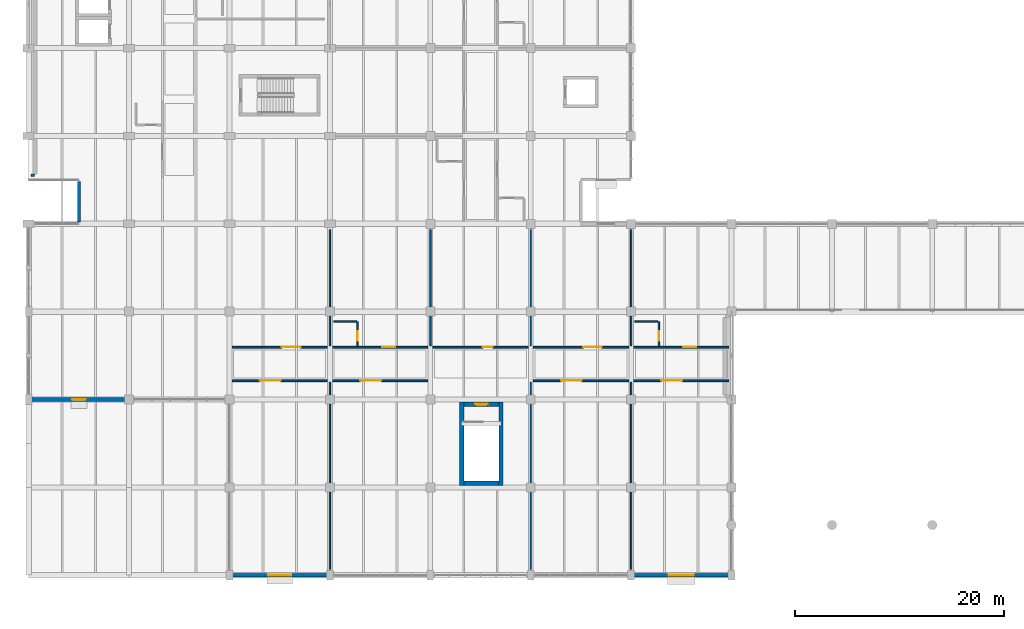
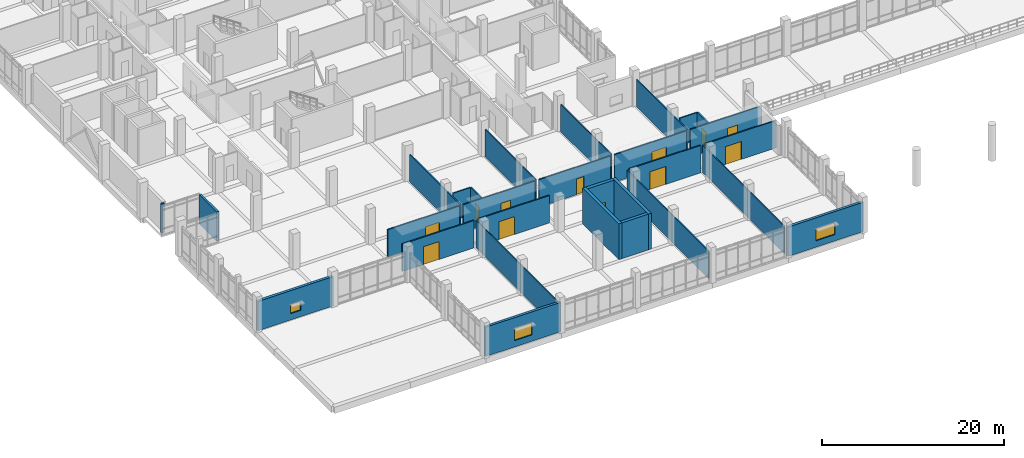
# One storey, part 118 of 152: 29 walls, 12 doors, 3 windows, 15 openings.
"""IFC4 building model written with IfcOpenShell, lengths in metres."""

from ifc_helpers import new_model, si_unit, direction, frame, frame_2d, origin, place, context, subcontext, project, spatial, rectangle, extrude, material, layer, layer_set, type_object, element, fill, save


model = new_model("IFC4")

# Units and contexts
model_context = context("Model", 3, precision=1e-05, world=origin(), true_north=direction((0.0, 1.0)))
body_context = subcontext(model_context, "Body", "Model", "MODEL_VIEW")
ifc_project = project(units=[si_unit("LENGTHUNIT", "METRE"), si_unit("AREAUNIT", "SQUARE_METRE"), si_unit("VOLUMEUNIT", "CUBIC_METRE"), si_unit("PLANEANGLEUNIT", "RADIAN"), si_unit("MASSUNIT", "GRAM", prefix="KILO")], contexts=[model_context])

# Site, building, storey
site_placement = place(None, origin())
site = spatial("IfcSite", under=ifc_project, at=site_placement, CompositionType="ELEMENT")
building_placement = place(site_placement, origin())
building = spatial("IfcBuilding", under=site, at=building_placement, Name="Oolite Switchyard Hospital", CompositionType="ELEMENT")
storey_placement = place(building_placement, frame((0.0, 0.0, 5.10009765625)))
storey = spatial("IfcBuildingStorey", under=building, at=storey_placement, Name="L01", CompositionType="ELEMENT", Elevation=5.10009765625)

# Walls
ifc_material_1 = material(Name="Precast oolitic limestone architectural concrete C40/50", Category="masonry")
ifc_layer_1 = layer(ifc_material_1, 0.260009765625)
ifc_layer_set_1 = layer_set([ifc_layer_1], Name="WAL-EXT-260")
wall_type_1 = type_object("IfcWallType", Name="WAL-EXT-260", PredefinedType="SOLIDWALL", material=ifc_layer_set_1)
wall_1_placement = place(storey_placement, frame((0.199951171875, 38.239990234375, 0.0), z_axis=(0.0, 0.0, 1.0), x_axis=(1.0, 0.0, 0.0)))
element("IfcWall", 1, at=wall_1_placement, inside=storey, type_object=wall_type_1, Name="L01 Brace Alcove Cheek Wall 101", PredefinedType="SOLIDWALL", context=body_context, shape_type="SweptSolid", body=[
    extrude(rectangle(XDim=0.360107421875, YDim=0.260009765625, at=frame_2d((0.18017578125, 0.0))), origin(), (0.0, 0.0, 1.0), 3.93994140625),
])
ifc_layer_2 = layer(ifc_material_1, 0.280029296875)
ifc_layer_set_2 = layer_set([ifc_layer_2], Name="WAL-EXT-280")
wall_type_2 = type_object("IfcWallType", Name="WAL-EXT-280", PredefinedType="SOLIDWALL", material=ifc_layer_set_2)
wall_2_placement = place(storey_placement, frame((4.800048828125, 33.760009765625, 0.0), z_axis=(0.0, 0.0, 1.0), x_axis=(0.0, 1.0, 0.0)))
element("IfcWall", 2, at=wall_2_placement, inside=storey, type_object=wall_type_2, Name="L01 Exterior Spandrel Wall 105", PredefinedType="SOLIDWALL", context=body_context, shape_type="SweptSolid", body=[
    extrude(rectangle(XDim=3.8798828125, YDim=0.280029296875, at=frame_2d((1.93994140625, 0.0))), origin(), (0.0, 0.0, 1.0), 3.93994140625),
])

# Wall, opening, window
ifc_layer_3 = layer(ifc_material_1, 0.320068359375)
ifc_layer_set_3 = layer_set([ifc_layer_3], Name="WAL-EXT-320")
wall_type_3 = type_object("IfcWallType", Name="WAL-EXT-320", PredefinedType="SOLIDWALL", material=ifc_layer_set_3)
wall_3_placement = place(storey_placement, frame((28.800048828125, 0.0, 0.0), z_axis=(0.0, 0.0, 1.0), x_axis=(-1.0, 0.0, 0.0)))
wall_3 = element("IfcWall", 3, at=wall_3_placement, inside=storey, type_object=wall_type_3, Name="L01 Exterior Spandrel Wall 72", PredefinedType="SOLIDWALL", context=body_context, shape_type="SweptSolid", body=[
    extrude(rectangle(XDim=9.60009765625, YDim=0.320068359375, at=frame_2d((4.800048828125, 0.0))), origin(), (0.0, 0.0, 1.0), 3.93994140625),
])
opening_1_placement = place(wall_3_placement, frame((3.699951171875, 0.0, 0.85009765625)))
opening_1 = element("IfcOpeningElement", 4, at=opening_1_placement, cuts=wall_3, Name="Opening WN-0022", PredefinedType="OPENING", context=body_context, shape_type="SweptSolid", body=[
    extrude(rectangle(XDim=2.199951171875, YDim=1.60009765625, at=frame_2d((1.10009765625, 0.800048828125))), frame((0.0, 0.169921875, 0.0), z_axis=(0.0, -1.0, 0.0), x_axis=(1.0, 0.0, 0.0)), (0.0, 0.0, 1.0), 0.340087890625),
])
ifc_material_2 = material(Name="Thermally broken aluminum frame with laminated impact glazing", Category="aluminium")
window_type_1 = type_object("IfcWindowType", Name="WIN-IMP-220X160", PartitioningType="SINGLE_PANEL", PredefinedType="WINDOW", material=ifc_material_2)
window_1_placement = place(opening_1_placement, origin())
window_1 = element("IfcWindow", 5, at=window_1_placement, inside=storey, type_object=window_type_1, Name="L01 Hurricane Impact Window WN-0022", OverallHeight=1.60009765625, OverallWidth=2.199951171875, PartitioningType="SINGLE_PANEL", PredefinedType="WINDOW", context=body_context, shape_type="SweptSolid", body=[
    extrude(rectangle(XDim=2.199951171875, YDim=1.60009765625, at=frame_2d((1.10009765625, 0.800048828125))), frame((0.0, 0.030029296875, 0.0), z_axis=(0.0, -1.0, 0.0), x_axis=(1.0, 0.0, 0.0)), (0.0, 0.0, 1.0), 0.06005859375),
])
fill(opening_1, window_1)

ifc_layer_4 = layer(ifc_material_1, 0.340087890625)
ifc_layer_set_4 = layer_set([ifc_layer_4], Name="WAL-EXT-340")
wall_type_4 = type_object("IfcWallType", Name="WAL-EXT-340", PredefinedType="SOLIDWALL", material=ifc_layer_set_4)
wall_4_placement = place(storey_placement, frame((67.199951171875, 0.0, 0.0), z_axis=(0.0, 0.0, 1.0), x_axis=(-1.0, 0.0, 0.0)))
wall_4 = element("IfcWall", 6, at=wall_4_placement, inside=storey, type_object=wall_type_4, Name="L01 Exterior Spandrel Wall 73", PredefinedType="SOLIDWALL", context=body_context, shape_type="SweptSolid", body=[
    extrude(rectangle(XDim=9.599853515625, YDim=0.340087890625, at=frame_2d((4.7998046875, 0.0))), origin(), (0.0, 0.0, 1.0), 3.93994140625),
])
opening_2_placement = place(wall_4_placement, frame((3.60009765625, 0.0, 0.85009765625)))
opening_2 = element("IfcOpeningElement", 7, at=opening_2_placement, cuts=wall_4, Name="Opening WN-0023", PredefinedType="OPENING", context=body_context, shape_type="SweptSolid", body=[
    extrude(rectangle(XDim=2.39990234375, YDim=1.60009765625, at=frame_2d((1.199951171875, 0.800048828125))), frame((0.0, 0.18017578125, 0.0), z_axis=(0.0, -1.0, 0.0), x_axis=(1.0, 0.0, 0.0)), (0.0, 0.0, 1.0), 0.360107421875),
])
window_type_2 = type_object("IfcWindowType", Name="WIN-IMP-240X160", PartitioningType="SINGLE_PANEL", PredefinedType="WINDOW", material=ifc_material_2)
window_2_placement = place(opening_2_placement, origin())
window_2 = element("IfcWindow", 8, at=window_2_placement, inside=storey, type_object=window_type_2, Name="L01 Hurricane Impact Window WN-0023", OverallHeight=1.60009765625, OverallWidth=2.39990234375, PartitioningType="SINGLE_PANEL", PredefinedType="WINDOW", context=body_context, shape_type="SweptSolid", body=[
    extrude(rectangle(XDim=2.39990234375, YDim=1.60009765625, at=frame_2d((1.199951171875, 0.800048828125))), frame((0.0, 0.030029296875, 0.0), z_axis=(0.0, -1.0, 0.0), x_axis=(1.0, 0.0, 0.0)), (0.0, 0.0, 1.0), 0.06005859375),
])
fill(opening_2, window_2)

wall_5_placement = place(storey_placement, frame((9.60009765625, 16.800048828125, 0.0), z_axis=(0.0, 0.0, 1.0), x_axis=(-1.0, 0.0, 0.0)))
wall_5 = element("IfcWall", 9, at=wall_5_placement, inside=storey, type_object=wall_type_4, Name="L01 Exterior Spandrel Wall 80", PredefinedType="SOLIDWALL", context=body_context, shape_type="SweptSolid", body=[
    extrude(rectangle(XDim=9.60009765625, YDim=0.340087890625, at=frame_2d((4.800048828125, 0.0))), origin(), (0.0, 0.0, 1.0), 3.93994140625),
])
opening_3_placement = place(wall_5_placement, frame((4.14990234375, 0.0, 0.85009765625)))
opening_3 = element("IfcOpeningElement", 10, at=opening_3_placement, cuts=wall_5, Name="Opening WN-0025", PredefinedType="OPENING", context=body_context, shape_type="SweptSolid", body=[
    extrude(rectangle(XDim=1.300048828125, YDim=1.199951171875, at=frame_2d((0.64990234375, 0.60009765625))), frame((0.0, 0.18017578125, 0.0), z_axis=(0.0, -1.0, 0.0), x_axis=(1.0, 0.0, 0.0)), (0.0, 0.0, 1.0), 0.360107421875),
])
window_type_3 = type_object("IfcWindowType", Name="WIN-IMP-130X120", PartitioningType="SINGLE_PANEL", PredefinedType="WINDOW", material=ifc_material_2)
window_3_placement = place(opening_3_placement, origin())
window_3 = element("IfcWindow", 11, at=window_3_placement, inside=storey, type_object=window_type_3, Name="L01 Hurricane Impact Window WN-0025", OverallHeight=1.199951171875, OverallWidth=1.300048828125, PartitioningType="SINGLE_PANEL", PredefinedType="WINDOW", context=body_context, shape_type="SweptSolid", body=[
    extrude(rectangle(XDim=1.300048828125, YDim=1.199951171875, at=frame_2d((0.64990234375, 0.60009765625))), frame((0.0, 0.030029296875, 0.0), z_axis=(0.0, -1.0, 0.0), x_axis=(1.0, 0.0, 0.0)), (0.0, 0.0, 1.0), 0.06005859375),
])
fill(opening_3, window_3)

# Walls
ifc_material_3 = material(Name="Moisture-resistant gypsum board on steel studs", Category="steel")
ifc_layer_5 = layer(ifc_material_3, 0.135009765625)
ifc_layer_set_5 = layer_set([ifc_layer_5], Name="WAL-PART-135")
wall_type_5 = type_object("IfcWallType", Name="WAL-PART-135", PredefinedType="PARTITIONING", material=ifc_layer_set_5)
wall_6_placement = place(storey_placement, frame((28.800048828125, 0.550048828125, 0.0), z_axis=(0.0, 0.0, 1.0), x_axis=(0.0, 1.0, 0.0)))
element("IfcWall", 12, at=wall_6_placement, inside=storey, type_object=wall_type_5, Name="L01 Interior Partition 197", PredefinedType="PARTITIONING", context=body_context, shape_type="SweptSolid", body=[
    extrude(rectangle(XDim=17.89990234375, YDim=0.135009765625, at=frame_2d((8.949951171875, 0.0))), origin(), (0.0, 0.0, 1.0), 3.679931640625),
])
for number, where, z_axis, x_axis, name in (
    (13, (28.800048828125, 21.949951171875, 0.0), (0.0, 0.0, 1.0), (0.0, 1.0, 0.0), "L01 Interior Partition 201"),
    (14, (38.39990234375, 21.949951171875, 0.0), (0.0, 0.0, 1.0), (0.0, 1.0, 0.0), "L01 Interior Partition 203"),
):
    element("IfcWall", number, at=place(storey_placement, frame(where, z_axis=z_axis, x_axis=x_axis)), inside=storey, type_object=wall_type_5, Name=name, PredefinedType="PARTITIONING", context=body_context, shape_type="SweptSolid", body=[
        extrude(rectangle(XDim=11.10009765625, YDim=0.135009765625, at=frame_2d((5.550048828125, 0.0))), origin(), (0.0, 0.0, 1.0), 3.679931640625),
    ])
wall_7_placement = place(storey_placement, frame((48.0, 0.550048828125, 0.0), z_axis=(0.0, 0.0, 1.0), x_axis=(0.0, 1.0, 0.0)))
element("IfcWall", 15, at=wall_7_placement, inside=storey, type_object=wall_type_5, Name="L01 Interior Partition 205", PredefinedType="PARTITIONING", context=body_context, shape_type="SweptSolid", body=[
    extrude(rectangle(XDim=17.89990234375, YDim=0.135009765625, at=frame_2d((8.949951171875, 0.0))), origin(), (0.0, 0.0, 1.0), 3.679931640625),
])
wall_8_placement = place(storey_placement, frame((48.0, 21.949951171875, 0.0), z_axis=(0.0, 0.0, 1.0), x_axis=(0.0, 1.0, 0.0)))
element("IfcWall", 16, at=wall_8_placement, inside=storey, type_object=wall_type_5, Name="L01 Interior Partition 207", PredefinedType="PARTITIONING", context=body_context, shape_type="SweptSolid", body=[
    extrude(rectangle(XDim=11.10009765625, YDim=0.135009765625, at=frame_2d((5.550048828125, 0.0))), origin(), (0.0, 0.0, 1.0), 3.679931640625),
])
wall_9_placement = place(storey_placement, frame((57.60009765625, 0.550048828125, 0.0), z_axis=(0.0, 0.0, 1.0), x_axis=(0.0, 1.0, 0.0)))
element("IfcWall", 17, at=wall_9_placement, inside=storey, type_object=wall_type_5, Name="L01 Interior Partition 209", PredefinedType="PARTITIONING", context=body_context, shape_type="SweptSolid", body=[
    extrude(rectangle(XDim=17.89990234375, YDim=0.135009765625, at=frame_2d((8.949951171875, 0.0))), origin(), (0.0, 0.0, 1.0), 3.679931640625),
])
wall_10_placement = place(storey_placement, frame((57.60009765625, 21.949951171875, 0.0), z_axis=(0.0, 0.0, 1.0), x_axis=(0.0, 1.0, 0.0)))
element("IfcWall", 18, at=wall_10_placement, inside=storey, type_object=wall_type_5, Name="L01 Interior Partition 213", PredefinedType="PARTITIONING", context=body_context, shape_type="SweptSolid", body=[
    extrude(rectangle(XDim=11.10009765625, YDim=0.135009765625, at=frame_2d((5.550048828125, 0.0))), origin(), (0.0, 0.0, 1.0), 3.679931640625),
])

# Wall, opening, door
ifc_layer_6 = layer(ifc_material_3, 0.14990234375)
ifc_layer_set_6 = layer_set([ifc_layer_6], Name="WAL-PART-150")
wall_type_6 = type_object("IfcWallType", Name="WAL-PART-150", PredefinedType="PARTITIONING", material=ifc_layer_set_6)
wall_11_placement = place(storey_placement, frame((31.449951171875, 21.949951171875, 0.0), z_axis=(0.0, 0.0, 1.0), x_axis=(0.0, 1.0, 0.0)))
wall_11 = element("IfcWall", 19, at=wall_11_placement, inside=storey, type_object=wall_type_6, Name="L01 Interior Partition 199", PredefinedType="PARTITIONING", context=body_context, shape_type="SweptSolid", body=[
    extrude(rectangle(XDim=2.300048828125, YDim=0.14990234375, at=frame_2d((1.14990234375, 0.0))), origin(), (0.0, 0.0, 1.0), 3.679931640625),
])
opening_4_placement = place(wall_11_placement, frame((0.449951171875, 0.0, 0.0)))
opening_4 = element("IfcOpeningElement", 20, at=opening_4_placement, cuts=wall_11, Name="Opening D-0121", PredefinedType="OPENING", context=body_context, shape_type="SweptSolid", body=[
    extrude(rectangle(XDim=0.949951171875, YDim=2.10009765625, at=frame_2d((0.47509765625, 1.050048828125))), frame((0.0, 0.0849609375, 0.0), z_axis=(0.0, -1.0, 0.0), x_axis=(1.0, 0.0, 0.0)), (0.0, 0.0, 1.0), 0.169921875),
])
ifc_material_4 = material(Name="Solid-core antimicrobial hardwood leaf in steel frame", Category="steel")
door_type_1 = type_object("IfcDoorType", Name="DR-BATH-095X210", OperationType="NOTDEFINED", PredefinedType="DOOR", material=ifc_material_4)
door_1_placement = place(opening_4_placement, origin())
door_1 = element("IfcDoor", 21, at=door_1_placement, inside=storey, type_object=door_type_1, Name="L01 Interior Door D-0121", OperationType="SINGLE_SWING_RIGHT", OverallHeight=2.10009765625, OverallWidth=0.949951171875, PredefinedType="DOOR", context=body_context, shape_type="SweptSolid", body=[
    extrude(rectangle(XDim=0.949951171875, YDim=2.10009765625, at=frame_2d((0.47509765625, 1.050048828125))), frame((0.0, 0.02490234375, 0.0), z_axis=(0.0, -1.0, 0.0), x_axis=(1.0, 0.0, 0.0)), (0.0, 0.0, 1.0), 0.050048828125),
])
fill(opening_4, door_1)

# Wall
wall_12_placement = place(storey_placement, frame((29.14990234375, 24.25, 0.0), z_axis=(0.0, 0.0, 1.0), x_axis=(1.0, 0.0, 0.0)))
element("IfcWall", 22, at=wall_12_placement, inside=storey, type_object=wall_type_6, Name="L01 Interior Partition 200", PredefinedType="PARTITIONING", context=body_context, shape_type="SweptSolid", body=[
    extrude(rectangle(XDim=2.2001953125, YDim=0.14990234375, at=frame_2d((1.10009765625, 0.0))), origin(), (0.0, 0.0, 1.0), 3.679931640625),
])

# Wall, opening, door
wall_13_placement = place(storey_placement, frame((60.25, 21.949951171875, 0.0), z_axis=(0.0, 0.0, 1.0), x_axis=(0.0, 1.0, 0.0)))
wall_13 = element("IfcWall", 23, at=wall_13_placement, inside=storey, type_object=wall_type_6, Name="L01 Interior Partition 211", PredefinedType="PARTITIONING", context=body_context, shape_type="SweptSolid", body=[
    extrude(rectangle(XDim=2.300048828125, YDim=0.14990234375, at=frame_2d((1.14990234375, 0.0))), origin(), (0.0, 0.0, 1.0), 3.679931640625),
])
opening_5_placement = place(wall_13_placement, frame((0.449951171875, 0.0, 0.0)))
opening_5 = element("IfcOpeningElement", 24, at=opening_5_placement, cuts=wall_13, Name="Opening D-0127", PredefinedType="OPENING", context=body_context, shape_type="SweptSolid", body=[
    extrude(rectangle(XDim=0.949951171875, YDim=2.10009765625, at=frame_2d((0.47509765625, 1.050048828125))), frame((0.0, 0.0849609375, 0.0), z_axis=(0.0, -1.0, 0.0), x_axis=(1.0, 0.0, 0.0)), (0.0, 0.0, 1.0), 0.169921875),
])
door_2_placement = place(opening_5_placement, origin())
door_2 = element("IfcDoor", 25, at=door_2_placement, inside=storey, type_object=door_type_1, Name="L01 Interior Door D-0127", OperationType="SINGLE_SWING_LEFT", OverallHeight=2.10009765625, OverallWidth=0.949951171875, PredefinedType="DOOR", context=body_context, shape_type="SweptSolid", body=[
    extrude(rectangle(XDim=0.949951171875, YDim=2.10009765625, at=frame_2d((0.47509765625, 1.050048828125))), frame((0.0, 0.02490234375, 0.0), z_axis=(0.0, -1.0, 0.0), x_axis=(1.0, 0.0, 0.0)), (0.0, 0.0, 1.0), 0.050048828125),
])
fill(opening_5, door_2)

# Wall
wall_14_placement = place(storey_placement, frame((57.949951171875, 24.25, 0.0), z_axis=(0.0, 0.0, 1.0), x_axis=(1.0, 0.0, 0.0)))
element("IfcWall", 26, at=wall_14_placement, inside=storey, type_object=wall_type_6, Name="L01 Interior Partition 212", PredefinedType="PARTITIONING", context=body_context, shape_type="SweptSolid", body=[
    extrude(rectangle(XDim=2.199951171875, YDim=0.14990234375, at=frame_2d((1.10009765625, 0.0))), origin(), (0.0, 0.0, 1.0), 3.679931640625),
])

# Wall, opening, door
ifc_layer_7 = layer(ifc_material_3, 0.1650390625)
ifc_layer_set_7 = layer_set([ifc_layer_7], Name="WAL-PART-165")
wall_type_7 = type_object("IfcWallType", Name="WAL-PART-165", PredefinedType="PARTITIONING", material=ifc_layer_set_7)
wall_15_placement = place(storey_placement, frame((19.449951171875, 18.60009765625, 0.0), z_axis=(0.0, 0.0, 1.0), x_axis=(1.0, 0.0, 0.0)))
wall_15 = element("IfcWall", 27, at=wall_15_placement, inside=storey, type_object=wall_type_7, Name="L01 Interior Partition 194", PredefinedType="PARTITIONING", context=body_context, shape_type="SweptSolid", body=[
    extrude(rectangle(XDim=9.10009765625, YDim=0.1650390625, at=frame_2d((4.550048828125, 0.0))), origin(), (0.0, 0.0, 1.0), 3.679931640625),
])
opening_6_placement = place(wall_15_placement, frame((2.64990234375, 0.0, 0.0)))
opening_6 = element("IfcOpeningElement", 28, at=opening_6_placement, cuts=wall_15, Name="Opening D-0117", PredefinedType="OPENING", context=body_context, shape_type="SweptSolid", body=[
    extrude(rectangle(XDim=2.0, YDim=2.39990234375, at=frame_2d((1.0, 1.199951171875))), frame((0.0, 0.092529296875, 0.0), z_axis=(0.0, -1.0, 0.0), x_axis=(1.0, 0.0, 0.0)), (0.0, 0.0, 1.0), 0.18505859375),
])
ifc_material_5 = material(Name="Hollow metal fire-rated steel door assembly", Category="steel")
door_type_2 = type_object("IfcDoorType", Name="DR-OR-200X240", OperationType="NOTDEFINED", PredefinedType="DOOR", material=ifc_material_5)
door_3_placement = place(opening_6_placement, origin())
door_3 = element("IfcDoor", 29, at=door_3_placement, inside=storey, type_object=door_type_2, Name="L01 Interior Door D-0117", OperationType="DOUBLE_DOOR_SINGLE_SWING", OverallHeight=2.39990234375, OverallWidth=2.0, PredefinedType="DOOR", context=body_context, shape_type="SweptSolid", body=[
    extrude(rectangle(XDim=2.0, YDim=2.39990234375, at=frame_2d((1.0, 1.199951171875))), frame((0.0, 0.02490234375, 0.0), z_axis=(0.0, -1.0, 0.0), x_axis=(1.0, 0.0, 0.0)), (0.0, 0.0, 1.0), 0.050048828125),
])
fill(opening_6, door_3)

wall_16_placement = place(storey_placement, frame((19.449951171875, 21.800048828125, 0.0), z_axis=(0.0, 0.0, 1.0), x_axis=(1.0, 0.0, 0.0)))
wall_16 = element("IfcWall", 30, at=wall_16_placement, inside=storey, type_object=wall_type_7, Name="L01 Interior Partition 195", PredefinedType="PARTITIONING", context=body_context, shape_type="SweptSolid", body=[
    extrude(rectangle(XDim=9.10009765625, YDim=0.1650390625, at=frame_2d((4.550048828125, 0.0))), origin(), (0.0, 0.0, 1.0), 3.679931640625),
])
opening_7_placement = place(wall_16_placement, frame((4.75, 0.0, 0.0)))
opening_7 = element("IfcOpeningElement", 31, at=opening_7_placement, cuts=wall_16, Name="Opening D-0118", PredefinedType="OPENING", context=body_context, shape_type="SweptSolid", body=[
    extrude(rectangle(XDim=1.800048828125, YDim=2.39990234375, at=frame_2d((0.89990234375, 1.199951171875))), frame((0.0, 0.092529296875, 0.0), z_axis=(0.0, -1.0, 0.0), x_axis=(1.0, 0.0, 0.0)), (0.0, 0.0, 1.0), 0.18505859375),
])
door_type_3 = type_object("IfcDoorType", Name="DR-OR-180X240", OperationType="NOTDEFINED", PredefinedType="DOOR", material=ifc_material_5)
door_4_placement = place(opening_7_placement, origin())
door_4 = element("IfcDoor", 32, at=door_4_placement, inside=storey, type_object=door_type_3, Name="L01 Interior Door D-0118", OperationType="DOUBLE_DOOR_SINGLE_SWING", OverallHeight=2.39990234375, OverallWidth=1.800048828125, PredefinedType="DOOR", context=body_context, shape_type="SweptSolid", body=[
    extrude(rectangle(XDim=1.800048828125, YDim=2.39990234375, at=frame_2d((0.89990234375, 1.199951171875))), frame((0.0, 0.02490234375, 0.0), z_axis=(0.0, -1.0, 0.0), x_axis=(1.0, 0.0, 0.0)), (0.0, 0.0, 1.0), 0.050048828125),
])
fill(opening_7, door_4)

wall_17_placement = place(storey_placement, frame((29.050048828125, 18.60009765625, 0.0), z_axis=(0.0, 0.0, 1.0), x_axis=(1.0, 0.0, 0.0)))
wall_17 = element("IfcWall", 33, at=wall_17_placement, inside=storey, type_object=wall_type_7, Name="L01 Interior Partition 196", PredefinedType="PARTITIONING", context=body_context, shape_type="SweptSolid", body=[
    extrude(rectangle(XDim=9.099853515625, YDim=0.1650390625, at=frame_2d((4.5498046875, 0.0))), origin(), (0.0, 0.0, 1.0), 3.679931640625),
])
opening_8_placement = place(wall_17_placement, frame((2.64990234375, 0.0, 0.0)))
opening_8 = element("IfcOpeningElement", 34, at=opening_8_placement, cuts=wall_17, Name="Opening D-0119", PredefinedType="OPENING", context=body_context, shape_type="SweptSolid", body=[
    extrude(rectangle(XDim=2.0, YDim=2.39990234375, at=frame_2d((1.0, 1.199951171875))), frame((0.0, 0.092529296875, 0.0), z_axis=(0.0, -1.0, 0.0), x_axis=(1.0, 0.0, 0.0)), (0.0, 0.0, 1.0), 0.18505859375),
])
door_5_placement = place(opening_8_placement, origin())
door_5 = element("IfcDoor", 35, at=door_5_placement, inside=storey, type_object=door_type_2, Name="L01 Interior Door D-0119", OperationType="DOUBLE_DOOR_SINGLE_SWING", OverallHeight=2.39990234375, OverallWidth=2.0, PredefinedType="DOOR", context=body_context, shape_type="SweptSolid", body=[
    extrude(rectangle(XDim=2.0, YDim=2.39990234375, at=frame_2d((1.0, 1.199951171875))), frame((0.0, 0.02490234375, 0.0), z_axis=(0.0, -1.0, 0.0), x_axis=(1.0, 0.0, 0.0)), (0.0, 0.0, 1.0), 0.050048828125),
])
fill(opening_8, door_5)

wall_18_placement = place(storey_placement, frame((29.050048828125, 21.800048828125, 0.0), z_axis=(0.0, 0.0, 1.0), x_axis=(1.0, 0.0, 0.0)))
wall_18 = element("IfcWall", 36, at=wall_18_placement, inside=storey, type_object=wall_type_7, Name="L01 Interior Partition 198", PredefinedType="PARTITIONING", context=body_context, shape_type="SweptSolid", body=[
    extrude(rectangle(XDim=9.099853515625, YDim=0.1650390625, at=frame_2d((4.5498046875, 0.0))), origin(), (0.0, 0.0, 1.0), 3.679931640625),
])
opening_9_placement = place(wall_18_placement, frame((4.75, 0.0, 0.0)))
opening_9 = element("IfcOpeningElement", 37, at=opening_9_placement, cuts=wall_18, Name="Opening D-0120", PredefinedType="OPENING", context=body_context, shape_type="SweptSolid", body=[
    extrude(rectangle(XDim=1.25, YDim=2.199951171875, at=frame_2d((0.625, 1.10009765625))), frame((0.0, 0.092529296875, 0.0), z_axis=(0.0, -1.0, 0.0), x_axis=(1.0, 0.0, 0.0)), (0.0, 0.0, 1.0), 0.18505859375),
])
door_type_4 = type_object("IfcDoorType", Name="DR-WARD-125X220", OperationType="NOTDEFINED", PredefinedType="DOOR", material=ifc_material_4)
door_6_placement = place(opening_9_placement, origin())
door_6 = element("IfcDoor", 38, at=door_6_placement, inside=storey, type_object=door_type_4, Name="L01 Interior Door D-0120", OperationType="SINGLE_SWING_LEFT", OverallHeight=2.199951171875, OverallWidth=1.25, PredefinedType="DOOR", context=body_context, shape_type="SweptSolid", body=[
    extrude(rectangle(XDim=1.25, YDim=2.199951171875, at=frame_2d((0.625, 1.10009765625))), frame((0.0, 0.02490234375, 0.0), z_axis=(0.0, -1.0, 0.0), x_axis=(1.0, 0.0, 0.0)), (0.0, 0.0, 1.0), 0.050048828125),
])
fill(opening_9, door_6)

wall_19_placement = place(storey_placement, frame((38.64990234375, 21.800048828125, 0.0), z_axis=(0.0, 0.0, 1.0), x_axis=(1.0, 0.0, 0.0)))
wall_19 = element("IfcWall", 39, at=wall_19_placement, inside=storey, type_object=wall_type_7, Name="L01 Interior Partition 202", PredefinedType="PARTITIONING", context=body_context, shape_type="SweptSolid", body=[
    extrude(rectangle(XDim=9.10009765625, YDim=0.1650390625, at=frame_2d((4.550048828125, 0.0))), origin(), (0.0, 0.0, 1.0), 3.679931640625),
])
opening_10_placement = place(wall_19_placement, frame((4.75, 0.0, 0.0)))
opening_10 = element("IfcOpeningElement", 40, at=opening_10_placement, cuts=wall_19, Name="Opening D-0122", PredefinedType="OPENING", context=body_context, shape_type="SweptSolid", body=[
    extrude(rectangle(XDim=0.949951171875, YDim=2.10009765625, at=frame_2d((0.47509765625, 1.050048828125))), frame((0.0, 0.092529296875, 0.0), z_axis=(0.0, -1.0, 0.0), x_axis=(1.0, 0.0, 0.0)), (0.0, 0.0, 1.0), 0.18505859375),
])
door_7_placement = place(opening_10_placement, origin())
door_7 = element("IfcDoor", 41, at=door_7_placement, inside=storey, type_object=door_type_1, Name="L01 Interior Door D-0122", OperationType="SINGLE_SWING_RIGHT", OverallHeight=2.10009765625, OverallWidth=0.949951171875, PredefinedType="DOOR", context=body_context, shape_type="SweptSolid", body=[
    extrude(rectangle(XDim=0.949951171875, YDim=2.10009765625, at=frame_2d((0.47509765625, 1.050048828125))), frame((0.0, 0.02490234375, 0.0), z_axis=(0.0, -1.0, 0.0), x_axis=(1.0, 0.0, 0.0)), (0.0, 0.0, 1.0), 0.050048828125),
])
fill(opening_10, door_7)

wall_20_placement = place(storey_placement, frame((48.25, 18.60009765625, 0.0), z_axis=(0.0, 0.0, 1.0), x_axis=(1.0, 0.0, 0.0)))
wall_20 = element("IfcWall", 42, at=wall_20_placement, inside=storey, type_object=wall_type_7, Name="L01 Interior Partition 204", PredefinedType="PARTITIONING", context=body_context, shape_type="SweptSolid", body=[
    extrude(rectangle(XDim=9.10009765625, YDim=0.1650390625, at=frame_2d((4.550048828125, 0.0))), origin(), (0.0, 0.0, 1.0), 3.679931640625),
])
opening_11_placement = place(wall_20_placement, frame((2.64990234375, 0.0, 0.0)))
opening_11 = element("IfcOpeningElement", 43, at=opening_11_placement, cuts=wall_20, Name="Opening D-0123", PredefinedType="OPENING", context=body_context, shape_type="SweptSolid", body=[
    extrude(rectangle(XDim=2.0, YDim=2.39990234375, at=frame_2d((1.0, 1.199951171875))), frame((0.0, 0.092529296875, 0.0), z_axis=(0.0, -1.0, 0.0), x_axis=(1.0, 0.0, 0.0)), (0.0, 0.0, 1.0), 0.18505859375),
])
door_8_placement = place(opening_11_placement, origin())
door_8 = element("IfcDoor", 44, at=door_8_placement, inside=storey, type_object=door_type_2, Name="L01 Interior Door D-0123", OperationType="DOUBLE_DOOR_SINGLE_SWING", OverallHeight=2.39990234375, OverallWidth=2.0, PredefinedType="DOOR", context=body_context, shape_type="SweptSolid", body=[
    extrude(rectangle(XDim=2.0, YDim=2.39990234375, at=frame_2d((1.0, 1.199951171875))), frame((0.0, 0.02490234375, 0.0), z_axis=(0.0, -1.0, 0.0), x_axis=(1.0, 0.0, 0.0)), (0.0, 0.0, 1.0), 0.050048828125),
])
fill(opening_11, door_8)

wall_21_placement = place(storey_placement, frame((48.25, 21.800048828125, 0.0), z_axis=(0.0, 0.0, 1.0), x_axis=(1.0, 0.0, 0.0)))
wall_21 = element("IfcWall", 45, at=wall_21_placement, inside=storey, type_object=wall_type_7, Name="L01 Interior Partition 206", PredefinedType="PARTITIONING", context=body_context, shape_type="SweptSolid", body=[
    extrude(rectangle(XDim=9.10009765625, YDim=0.1650390625, at=frame_2d((4.550048828125, 0.0))), origin(), (0.0, 0.0, 1.0), 3.679931640625),
])
opening_12_placement = place(wall_21_placement, frame((4.75, 0.0, 0.0)))
opening_12 = element("IfcOpeningElement", 46, at=opening_12_placement, cuts=wall_21, Name="Opening D-0124", PredefinedType="OPENING", context=body_context, shape_type="SweptSolid", body=[
    extrude(rectangle(XDim=1.800048828125, YDim=2.39990234375, at=frame_2d((0.89990234375, 1.199951171875))), frame((0.0, 0.092529296875, 0.0), z_axis=(0.0, -1.0, 0.0), x_axis=(1.0, 0.0, 0.0)), (0.0, 0.0, 1.0), 0.18505859375),
])
door_9_placement = place(opening_12_placement, origin())
door_9 = element("IfcDoor", 47, at=door_9_placement, inside=storey, type_object=door_type_3, Name="L01 Interior Door D-0124", OperationType="DOUBLE_DOOR_SINGLE_SWING", OverallHeight=2.39990234375, OverallWidth=1.800048828125, PredefinedType="DOOR", context=body_context, shape_type="SweptSolid", body=[
    extrude(rectangle(XDim=1.800048828125, YDim=2.39990234375, at=frame_2d((0.89990234375, 1.199951171875))), frame((0.0, 0.02490234375, 0.0), z_axis=(0.0, -1.0, 0.0), x_axis=(1.0, 0.0, 0.0)), (0.0, 0.0, 1.0), 0.050048828125),
])
fill(opening_12, door_9)

wall_22_placement = place(storey_placement, frame((57.85009765625, 18.60009765625, 0.0), z_axis=(0.0, 0.0, 1.0), x_axis=(1.0, 0.0, 0.0)))
wall_22 = element("IfcWall", 48, at=wall_22_placement, inside=storey, type_object=wall_type_7, Name="L01 Interior Partition 208", PredefinedType="PARTITIONING", context=body_context, shape_type="SweptSolid", body=[
    extrude(rectangle(XDim=9.099853515625, YDim=0.1650390625, at=frame_2d((4.5498046875, 0.0))), origin(), (0.0, 0.0, 1.0), 3.679931640625),
])
opening_13_placement = place(wall_22_placement, frame((2.64990234375, 0.0, 0.0)))
opening_13 = element("IfcOpeningElement", 49, at=opening_13_placement, cuts=wall_22, Name="Opening D-0125", PredefinedType="OPENING", context=body_context, shape_type="SweptSolid", body=[
    extrude(rectangle(XDim=2.0, YDim=2.39990234375, at=frame_2d((1.0, 1.199951171875))), frame((0.0, 0.092529296875, 0.0), z_axis=(0.0, -1.0, 0.0), x_axis=(1.0, 0.0, 0.0)), (0.0, 0.0, 1.0), 0.18505859375),
])
door_10_placement = place(opening_13_placement, origin())
door_10 = element("IfcDoor", 50, at=door_10_placement, inside=storey, type_object=door_type_2, Name="L01 Interior Door D-0125", OperationType="DOUBLE_DOOR_SINGLE_SWING", OverallHeight=2.39990234375, OverallWidth=2.0, PredefinedType="DOOR", context=body_context, shape_type="SweptSolid", body=[
    extrude(rectangle(XDim=2.0, YDim=2.39990234375, at=frame_2d((1.0, 1.199951171875))), frame((0.0, 0.02490234375, 0.0), z_axis=(0.0, -1.0, 0.0), x_axis=(1.0, 0.0, 0.0)), (0.0, 0.0, 1.0), 0.050048828125),
])
fill(opening_13, door_10)

wall_23_placement = place(storey_placement, frame((57.85009765625, 21.800048828125, 0.0), z_axis=(0.0, 0.0, 1.0), x_axis=(1.0, 0.0, 0.0)))
wall_23 = element("IfcWall", 51, at=wall_23_placement, inside=storey, type_object=wall_type_7, Name="L01 Interior Partition 210", PredefinedType="PARTITIONING", context=body_context, shape_type="SweptSolid", body=[
    extrude(rectangle(XDim=9.099853515625, YDim=0.1650390625, at=frame_2d((4.5498046875, 0.0))), origin(), (0.0, 0.0, 1.0), 3.679931640625),
])
opening_14_placement = place(wall_23_placement, frame((4.75, 0.0, 0.0)))
opening_14 = element("IfcOpeningElement", 52, at=opening_14_placement, cuts=wall_23, Name="Opening D-0126", PredefinedType="OPENING", context=body_context, shape_type="SweptSolid", body=[
    extrude(rectangle(XDim=1.25, YDim=2.199951171875, at=frame_2d((0.625, 1.10009765625))), frame((0.0, 0.092529296875, 0.0), z_axis=(0.0, -1.0, 0.0), x_axis=(1.0, 0.0, 0.0)), (0.0, 0.0, 1.0), 0.18505859375),
])
door_11_placement = place(opening_14_placement, origin())
door_11 = element("IfcDoor", 53, at=door_11_placement, inside=storey, type_object=door_type_4, Name="L01 Interior Door D-0126", OperationType="SINGLE_SWING_RIGHT", OverallHeight=2.199951171875, OverallWidth=1.25, PredefinedType="DOOR", context=body_context, shape_type="SweptSolid", body=[
    extrude(rectangle(XDim=1.25, YDim=2.199951171875, at=frame_2d((0.625, 1.10009765625))), frame((0.0, 0.02490234375, 0.0), z_axis=(0.0, -1.0, 0.0), x_axis=(1.0, 0.0, 0.0)), (0.0, 0.0, 1.0), 0.050048828125),
])
fill(opening_14, door_11)

# Walls
ifc_material_6 = material(Name="Concrete C50/60", Category="concrete")
ifc_layer_8 = layer(ifc_material_6, 0.39990234375)
ifc_layer_set_8 = layer_set([ifc_layer_8], Name="WAL-SHR-400")
wall_type_8 = type_object("IfcWallType", Name="WAL-SHR-400", PredefinedType="SHEAR", material=ifc_layer_set_8)
wall_24_placement = place(storey_placement, frame((41.39990234375, 16.550048828125, 0.0), z_axis=(0.0, 0.0, 1.0), x_axis=(0.0, -1.0, 0.0)))
element("IfcWall", 54, at=wall_24_placement, inside=storey, type_object=wall_type_8, Name="L01 Core Shear Wall ST-08", PredefinedType="SHEAR", context=body_context, shape_type="SweptSolid", body=[
    extrude(rectangle(XDim=7.949951171875, YDim=0.39990234375, at=frame_2d((3.97509765625, 0.0))), origin(), (0.0, 0.0, 1.0), 4.7998046875),
])
wall_25_placement = place(storey_placement, frame((41.60009765625, 8.800048828125, 0.0), z_axis=(0.0, 0.0, 1.0), x_axis=(1.0, 0.0, 0.0)))
element("IfcWall", 55, at=wall_25_placement, inside=storey, type_object=wall_type_8, Name="L01 Core Shear Wall ST-08", PredefinedType="SHEAR", context=body_context, shape_type="SweptSolid", body=[
    extrude(rectangle(XDim=3.35986328125, YDim=0.39990234375, at=frame_2d((1.679931640625, 0.0))), origin(), (0.0, 0.0, 1.0), 4.7998046875),
])
wall_26_placement = place(storey_placement, frame((45.159912109375, 8.60009765625, 0.0), z_axis=(0.0, 0.0, 1.0), x_axis=(0.0, 1.0, 0.0)))
element("IfcWall", 56, at=wall_26_placement, inside=storey, type_object=wall_type_8, Name="L01 Core Shear Wall ST-08", PredefinedType="SHEAR", context=body_context, shape_type="SweptSolid", body=[
    extrude(rectangle(XDim=7.949951171875, YDim=0.39990234375, at=frame_2d((3.97509765625, 0.0))), origin(), (0.0, 0.0, 1.0), 4.7998046875),
])

# Wall, opening, door
wall_27_placement = place(storey_placement, frame((44.9599609375, 16.35009765625, 0.0), z_axis=(0.0, 0.0, 1.0), x_axis=(-1.0, 0.0, 0.0)))
wall_27 = element("IfcWall", 57, at=wall_27_placement, inside=storey, type_object=wall_type_8, Name="L01 Core Shear Wall ST-08", PredefinedType="SHEAR", context=body_context, shape_type="SweptSolid", body=[
    extrude(rectangle(XDim=3.35986328125, YDim=0.39990234375, at=frame_2d((1.679931640625, 0.0))), origin(), (0.0, 0.0, 1.0), 4.7998046875),
])
opening_15_placement = place(wall_27_placement, frame((1.080078125, 0.0, 0.0)))
opening_15 = element("IfcOpeningElement", 58, at=opening_15_placement, cuts=wall_27, Name="Opening SD-048", PredefinedType="OPENING", context=body_context, shape_type="SweptSolid", body=[
    extrude(rectangle(XDim=1.199951171875, YDim=2.199951171875, at=frame_2d((0.60009765625, 1.10009765625))), frame((0.0, 0.2099609375, 0.0), z_axis=(0.0, -1.0, 0.0), x_axis=(1.0, 0.0, 0.0)), (0.0, 0.0, 1.0), 0.419921875),
])
door_type_5 = type_object("IfcDoorType", Name="DR-STR-120X220", OperationType="NOTDEFINED", PredefinedType="DOOR", material=ifc_material_5)
door_12_placement = place(opening_15_placement, origin())
door_12 = element("IfcDoor", 59, at=door_12_placement, inside=storey, type_object=door_type_5, Name="L01 ST-08 Exit Stair Door SD-048", OperationType="SINGLE_SWING_LEFT", OverallHeight=2.199951171875, OverallWidth=1.199951171875, PredefinedType="DOOR", context=body_context, shape_type="SweptSolid", body=[
    extrude(rectangle(XDim=1.199951171875, YDim=2.199951171875, at=frame_2d((0.60009765625, 1.10009765625))), frame((0.0, 0.02490234375, 0.0), z_axis=(0.0, -1.0, 0.0), x_axis=(1.0, 0.0, 0.0)), (0.0, 0.0, 1.0), 0.050048828125),
])
fill(opening_15, door_12)

save(model, "model.ifc")
